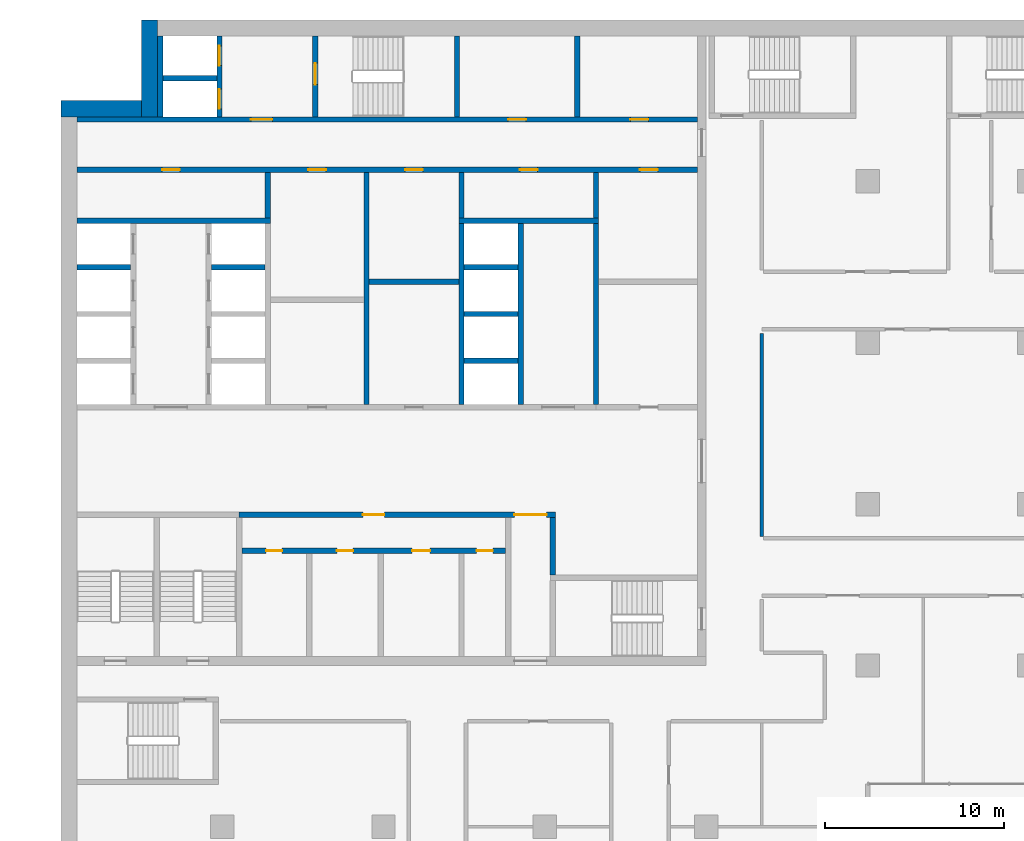
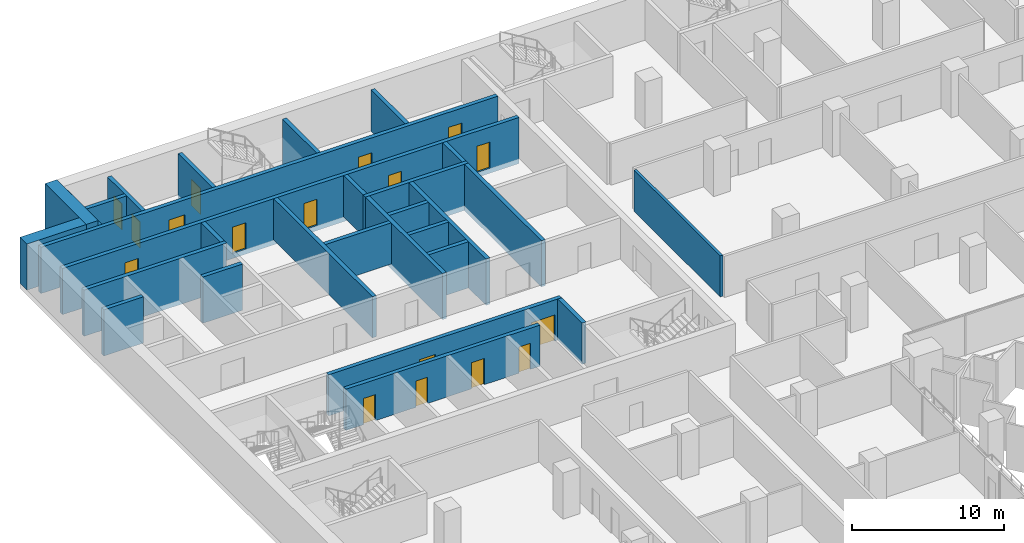
# One storey, part 13 of 22: 29 walls, 17 doors, 17 openings.
"""IFC4 building model written with IfcOpenShell, lengths in metres."""

from ifc_helpers import new_model, si_unit, direction, frame, frame_2d, origin, place, context, subcontext, project, spatial, rectangle, extrude, material, layer, layer_set, type_object, element, fill, save


model = new_model("IFC4")

# Units and contexts
model_context = context("Model", 3, precision=1e-05, world=origin(), true_north=direction((0.0, 1.0)))
body_context = subcontext(model_context, "Body", "Model", "MODEL_VIEW")
ifc_project = project(units=[si_unit("LENGTHUNIT", "METRE"), si_unit("AREAUNIT", "SQUARE_METRE"), si_unit("VOLUMEUNIT", "CUBIC_METRE"), si_unit("PLANEANGLEUNIT", "RADIAN"), si_unit("MASSUNIT", "GRAM", prefix="KILO")], contexts=[model_context])

# Site, building, storey
site_placement = place(None, origin())
site = spatial("IfcSite", under=ifc_project, at=site_placement, CompositionType="ELEMENT")
building_placement = place(site_placement, origin())
building = spatial("IfcBuilding", under=site, at=building_placement, Name="Hunhe Ridgeline Campus", CompositionType="ELEMENT")
storey_placement = place(building_placement, frame((0.0, 0.0, 88.5)))
storey = spatial("IfcBuildingStorey", under=building, at=storey_placement, Name="L21", CompositionType="ELEMENT", Elevation=88.5)

# Wall, openings, doors
ifc_material_1 = material(Name="Masonry concrete blockwork", Category="masonry")
ifc_layer_1 = layer(ifc_material_1, 0.300048828125)
ifc_layer_set_1 = layer_set([ifc_layer_1], Name="Core room partition 300 concrete block")
wall_type_1 = type_object("IfcWallType", Name="Core room partition 300 concrete block", PredefinedType="PARTITIONING", material=ifc_layer_set_1)
wall_1_placement = place(storey_placement, frame((10.10009765625, 69.39990234375, 0.0), z_axis=(0.0, 0.0, 1.0), x_axis=(1.0, 0.0, 0.0)))
wall_1 = element("IfcWall", 1, at=wall_1_placement, inside=storey, type_object=wall_type_1, Name="L21 core partition 9", PredefinedType="PARTITIONING", context=body_context, shape_type="SweptSolid", body=[
    extrude(rectangle(XDim=14.699951171875, YDim=0.300048828125, at=frame_2d((7.35009765625, 0.0))), origin(), (0.0, 0.0, 1.0), 3.300048828125),
])
opening_1_placement = place(wall_1_placement, frame((1.35009765625, 0.0, 0.0)))
opening_1 = element("IfcOpeningElement", 2, at=opening_1_placement, cuts=wall_1, Name="Opening CD8", PredefinedType="OPENING", context=body_context, shape_type="SweptSolid", body=[
    extrude(rectangle(XDim=0.89990234375, YDim=2.10009765625, at=frame_2d((0.449951171875, 1.050048828125))), frame((0.0, 0.14990234375, 0.0), z_axis=(0.0, -1.0, 0.0), x_axis=(1.0, 0.0, 0.0)), (0.0, 0.0, 1.0), 0.300048828125),
])
opening_2_placement = place(wall_1_placement, frame((5.300048828125, 0.0, 0.0)))
opening_2 = element("IfcOpeningElement", 3, at=opening_2_placement, cuts=wall_1, Name="Opening CD9", PredefinedType="OPENING", context=body_context, shape_type="SweptSolid", body=[
    extrude(rectangle(XDim=0.89990234375, YDim=2.10009765625, at=frame_2d((0.449951171875, 1.050048828125))), frame((0.0, 0.14990234375, 0.0), z_axis=(0.0, -1.0, 0.0), x_axis=(1.0, 0.0, 0.0)), (0.0, 0.0, 1.0), 0.300048828125),
])
opening_3_placement = place(wall_1_placement, frame((9.5, 0.0, 0.0)))
opening_3 = element("IfcOpeningElement", 4, at=opening_3_placement, cuts=wall_1, Name="Opening CD10", PredefinedType="OPENING", context=body_context, shape_type="SweptSolid", body=[
    extrude(rectangle(XDim=1.0, YDim=2.10009765625, at=frame_2d((0.5, 1.050048828125))), frame((0.0, 0.14990234375, 0.0), z_axis=(0.0, -1.0, 0.0), x_axis=(1.0, 0.0, 0.0)), (0.0, 0.0, 1.0), 0.300048828125),
])
opening_4_placement = place(wall_1_placement, frame((13.10009765625, 0.0, 0.0)))
opening_4 = element("IfcOpeningElement", 5, at=opening_4_placement, cuts=wall_1, Name="Opening CD11", PredefinedType="OPENING", context=body_context, shape_type="SweptSolid", body=[
    extrude(rectangle(XDim=0.89990234375, YDim=2.10009765625, at=frame_2d((0.449951171875, 1.050048828125))), frame((0.0, 0.14990234375, 0.0), z_axis=(0.0, -1.0, 0.0), x_axis=(1.0, 0.0, 0.0)), (0.0, 0.0, 1.0), 0.300048828125),
])
ifc_material_2 = material(Name="Solid core timber door leaf", Category="wood")
door_type_1 = type_object("IfcDoorType", Name="Timber door 1000x2100", OperationType="SINGLE_SWING_LEFT", PredefinedType="DOOR", material=ifc_material_2)
door_1_placement = place(opening_3_placement, frame((1.0, 0.0, 0.0), z_axis=(0.0, 0.0, 1.0), x_axis=(-1.0, 0.0, 0.0)))
door_1 = element("IfcDoor", 6, at=door_1_placement, inside=storey, type_object=door_type_1, Name="L21 door WC3", OperationType="SINGLE_SWING_RIGHT", OverallHeight=2.10009765625, OverallWidth=1.0, PredefinedType="DOOR", context=body_context, shape_type="SweptSolid", body=[
    extrude(rectangle(XDim=1.0, YDim=2.10009765625, at=frame_2d((0.5, 1.050048828125))), frame((0.0, 0.02490234375, 0.0), z_axis=(0.0, -1.0, 0.0), x_axis=(1.0, 0.0, 0.0)), (0.0, 0.0, 1.0), 0.050048828125),
])
fill(opening_3, door_1)
door_type_2 = type_object("IfcDoorType", Name="Timber door 900x2100", OperationType="SINGLE_SWING_LEFT", PredefinedType="DOOR", material=ifc_material_2)
door_2_placement = place(opening_1_placement, frame((0.89990234375, 0.0, 0.0), z_axis=(0.0, 0.0, 1.0), x_axis=(-1.0, 0.0, 0.0)))
door_2 = element("IfcDoor", 7, at=door_2_placement, inside=storey, type_object=door_type_2, Name="L21 door WC1", OperationType="SINGLE_SWING_RIGHT", OverallHeight=2.10009765625, OverallWidth=0.89990234375, PredefinedType="DOOR", context=body_context, shape_type="SweptSolid", body=[
    extrude(rectangle(XDim=0.89990234375, YDim=2.10009765625, at=frame_2d((0.449951171875, 1.050048828125))), frame((0.0, 0.02490234375, 0.0), z_axis=(0.0, -1.0, 0.0), x_axis=(1.0, 0.0, 0.0)), (0.0, 0.0, 1.0), 0.050048828125),
])
fill(opening_1, door_2)
door_3_placement = place(opening_2_placement, frame((0.89990234375, 0.0, 0.0), z_axis=(0.0, 0.0, 1.0), x_axis=(-1.0, 0.0, 0.0)))
door_3 = element("IfcDoor", 8, at=door_3_placement, inside=storey, type_object=door_type_2, Name="L21 door WC2", OperationType="SINGLE_SWING_LEFT", OverallHeight=2.10009765625, OverallWidth=0.89990234375, PredefinedType="DOOR", context=body_context, shape_type="SweptSolid", body=[
    extrude(rectangle(XDim=0.89990234375, YDim=2.10009765625, at=frame_2d((0.449951171875, 1.050048828125))), frame((0.0, 0.02490234375, 0.0), z_axis=(0.0, -1.0, 0.0), x_axis=(1.0, 0.0, 0.0)), (0.0, 0.0, 1.0), 0.050048828125),
])
fill(opening_2, door_3)
door_4_placement = place(opening_4_placement, frame((0.89990234375, 0.0, 0.0), z_axis=(0.0, 0.0, 1.0), x_axis=(-1.0, 0.0, 0.0)))
door_4 = element("IfcDoor", 9, at=door_4_placement, inside=storey, type_object=door_type_2, Name="L21 door WC4", OperationType="SINGLE_SWING_LEFT", OverallHeight=2.10009765625, OverallWidth=0.89990234375, PredefinedType="DOOR", context=body_context, shape_type="SweptSolid", body=[
    extrude(rectangle(XDim=0.89990234375, YDim=2.10009765625, at=frame_2d((0.449951171875, 1.050048828125))), frame((0.0, 0.02490234375, 0.0), z_axis=(0.0, -1.0, 0.0), x_axis=(1.0, 0.0, 0.0)), (0.0, 0.0, 1.0), 0.050048828125),
])
fill(opening_4, door_4)

wall_2_placement = place(storey_placement, frame((9.949951171875, 71.39990234375, 0.0), z_axis=(0.0, 0.0, 1.0), x_axis=(1.0, 0.0, 0.0)))
wall_2 = element("IfcWall", 10, at=wall_2_placement, inside=storey, type_object=wall_type_1, Name="L21 core partition 11", PredefinedType="PARTITIONING", context=body_context, shape_type="SweptSolid", body=[
    extrude(rectangle(XDim=17.650146484375, YDim=0.300048828125, at=frame_2d((8.8251953125, 0.0))), origin(), (0.0, 0.0, 1.0), 3.300048828125),
])
opening_5_placement = place(wall_2_placement, frame((15.35009765625, 0.0, 0.0)))
opening_5 = element("IfcOpeningElement", 11, at=opening_5_placement, cuts=wall_2, Name="Opening CD7", PredefinedType="OPENING", context=body_context, shape_type="SweptSolid", body=[
    extrude(rectangle(XDim=1.800048828125, YDim=2.10009765625, at=frame_2d((0.89990234375, 1.050048828125))), frame((0.0, 0.14990234375, 0.0), z_axis=(0.0, -1.0, 0.0), x_axis=(1.0, 0.0, 0.0)), (0.0, 0.0, 1.0), 0.300048828125),
])
opening_6_placement = place(wall_2_placement, frame((6.89990234375, 0.0, 0.0)))
opening_6 = element("IfcOpeningElement", 12, at=opening_6_placement, cuts=wall_2, Name="Opening CD37", PredefinedType="OPENING", context=body_context, shape_type="SweptSolid", body=[
    extrude(rectangle(XDim=1.199951171875, YDim=2.10009765625, at=frame_2d((0.60009765625, 1.050048828125))), frame((0.0, 0.14990234375, 0.0), z_axis=(0.0, -1.0, 0.0), x_axis=(1.0, 0.0, 0.0)), (0.0, 0.0, 1.0), 0.300048828125),
])
ifc_material_3 = material(Name="Anodised aluminium and glass", Category="aluminium")
door_type_3 = type_object("IfcDoorType", Name="Glazed double door 1800x2100", OperationType="DOUBLE_DOOR_SINGLE_SWING", PredefinedType="DOOR", material=ifc_material_3)
door_5_placement = place(opening_5_placement, origin())
door_5 = element("IfcDoor", 13, at=door_5_placement, inside=storey, type_object=door_type_3, Name="L21 door VEST-HALL", OperationType="DOUBLE_DOOR_SINGLE_SWING", OverallHeight=2.10009765625, OverallWidth=1.800048828125, PredefinedType="DOOR", context=body_context, shape_type="SweptSolid", body=[
    extrude(rectangle(XDim=1.800048828125, YDim=2.10009765625, at=frame_2d((0.89990234375, 1.050048828125))), frame((0.0, 0.02490234375, 0.0), z_axis=(0.0, -1.0, 0.0), x_axis=(1.0, 0.0, 0.0)), (0.0, 0.0, 1.0), 0.050048828125),
])
fill(opening_5, door_5)
door_type_4 = type_object("IfcDoorType", Name="Timber door 1200x2100", OperationType="SINGLE_SWING_LEFT", PredefinedType="DOOR", material=ifc_material_2)
door_6_placement = place(opening_6_placement, origin())
door_6 = element("IfcDoor", 14, at=door_6_placement, inside=storey, type_object=door_type_4, Name="L21 door WCL1-HALL", OperationType="SINGLE_SWING_LEFT", OverallHeight=2.10009765625, OverallWidth=1.199951171875, PredefinedType="DOOR", context=body_context, shape_type="SweptSolid", body=[
    extrude(rectangle(XDim=1.199951171875, YDim=2.10009765625, at=frame_2d((0.60009765625, 1.050048828125))), frame((0.0, 0.02490234375, 0.0), z_axis=(0.0, -1.0, 0.0), x_axis=(1.0, 0.0, 0.0)), (0.0, 0.0, 1.0), 0.050048828125),
])
fill(opening_6, door_6)

# Walls
wall_3_placement = place(storey_placement, frame((17.199951171875, 84.39990234375, 0.0), z_axis=(0.0, 0.0, 1.0), x_axis=(1.0, 0.0, 0.0)))
element("IfcWall", 15, at=wall_3_placement, inside=storey, type_object=wall_type_1, Name="L21 core partition 21", PredefinedType="PARTITIONING", context=body_context, shape_type="SweptSolid", body=[
    extrude(rectangle(XDim=5.0, YDim=0.300048828125, at=frame_2d((2.5, 0.0))), origin(), (0.0, 0.0, 1.0), 3.300048828125),
])
wall_4_placement = place(storey_placement, frame((11.550048828125, 87.949951171875, 0.0), z_axis=(0.0, 0.0, 1.0), x_axis=(0.0, 1.0, 0.0)))
element("IfcWall", 16, at=wall_4_placement, inside=storey, type_object=wall_type_1, Name="L21 core partition 43", PredefinedType="PARTITIONING", context=body_context, shape_type="SweptSolid", body=[
    extrude(rectangle(XDim=2.550048828125, YDim=0.300048828125, at=frame_2d((1.27490234375, 0.0))), origin(), (0.0, 0.0, 1.0), 3.300048828125),
])
wall_5_placement = place(storey_placement, frame((17.050048828125, 77.550048828125, 0.0), z_axis=(0.0, 0.0, 1.0), x_axis=(0.0, 1.0, 0.0)))
element("IfcWall", 17, at=wall_5_placement, inside=storey, type_object=wall_type_1, Name="L21 core partition 46", PredefinedType="PARTITIONING", context=body_context, shape_type="SweptSolid", body=[
    extrude(rectangle(XDim=12.949951171875, YDim=0.300048828125, at=frame_2d((6.47509765625, 0.0))), origin(), (0.0, 0.0, 1.0), 3.300048828125),
])
wall_6_placement = place(storey_placement, frame((22.35009765625, 87.949951171875, 0.0), z_axis=(0.0, 0.0, 1.0), x_axis=(0.0, 1.0, 0.0)))
element("IfcWall", 18, at=wall_6_placement, inside=storey, type_object=wall_type_1, Name="L21 core partition 52", PredefinedType="PARTITIONING", context=body_context, shape_type="SweptSolid", body=[
    extrude(rectangle(XDim=2.550048828125, YDim=0.300048828125, at=frame_2d((1.27490234375, 0.0))), origin(), (0.0, 0.0, 1.0), 3.300048828125),
])
wall_7_placement = place(storey_placement, frame((27.449951171875, 68.050048828125, 0.0), z_axis=(0.0, 0.0, 1.0), x_axis=(0.0, 1.0, 0.0)))
element("IfcWall", 19, at=wall_7_placement, inside=storey, type_object=wall_type_1, Name="L21 core partition 57", PredefinedType="PARTITIONING", context=body_context, shape_type="SweptSolid", body=[
    extrude(rectangle(XDim=3.199951171875, YDim=0.300048828125, at=frame_2d((1.60009765625, 0.0))), origin(), (0.0, 0.0, 1.0), 3.300048828125),
])
wall_8_placement = place(storey_placement, frame((28.800048828125, 93.60009765625, 0.0), z_axis=(0.0, 0.0, 1.0), x_axis=(0.0, 1.0, 0.0)))
element("IfcWall", 20, at=wall_8_placement, inside=storey, type_object=wall_type_1, Name="L21 core partition 58", PredefinedType="PARTITIONING", context=body_context, shape_type="SweptSolid", body=[
    extrude(rectangle(XDim=4.5, YDim=0.300048828125, at=frame_2d((2.25, 0.0))), origin(), (0.0, 0.0, 1.0), 3.300048828125),
])
wall_9_placement = place(storey_placement, frame((29.85009765625, 87.949951171875, 0.0), z_axis=(0.0, 0.0, 1.0), x_axis=(0.0, 1.0, 0.0)))
element("IfcWall", 21, at=wall_9_placement, inside=storey, type_object=wall_type_1, Name="L21 core partition 60", PredefinedType="PARTITIONING", context=body_context, shape_type="SweptSolid", body=[
    extrude(rectangle(XDim=2.550048828125, YDim=0.300048828125, at=frame_2d((1.27490234375, 0.0))), origin(), (0.0, 0.0, 1.0), 3.300048828125),
])
ifc_material_4 = material(Name="Gypsum board partition")
ifc_layer_2 = layer(ifc_material_4, 0.199951171875)
ifc_layer_set_2 = layer_set([ifc_layer_2], Name="Corridor partition 200 gypsum board on steel studs")
wall_type_2 = type_object("IfcWallType", Name="Corridor partition 200 gypsum board on steel studs", PredefinedType="PARTITIONING", material=ifc_layer_set_2)
wall_10_placement = place(storey_placement, frame((39.10009765625, 81.517578125, 0.0), z_axis=(0.0, 0.0, 1.0), x_axis=(0.0, -1.0, 0.0)))
element("IfcWall", 22, at=wall_10_placement, inside=storey, type_object=wall_type_2, Name="F-L21-wall-057", PredefinedType="PARTITIONING", context=body_context, shape_type="SweptSolid", body=[
    extrude(rectangle(XDim=11.317626953125, YDim=0.199951171875, at=frame_2d((5.65869140625, 0.0))), origin(), (0.0, 0.0, 1.0), 3.300048828125),
])

# Wall, openings, doors
ifc_material_5 = material(Name="Concrete C80", Category="concrete")
ifc_layer_3 = layer(ifc_material_5, 0.300048828125)
ifc_layer_set_3 = layer_set([ifc_layer_3], Name="Lobby wall 300 reinforced concrete C80")
wall_type_3 = type_object("IfcWallType", Name="Lobby wall 300 reinforced concrete C80", PredefinedType="SOLIDWALL", material=ifc_layer_set_3)
wall_11_placement = place(storey_placement, frame((0.89990234375, 90.64990234375, -0.39990234375), z_axis=(0.0, 0.0, 1.0), x_axis=(1.0, 0.0, 0.0)))
wall_11 = element("IfcWall", 23, at=wall_11_placement, inside=storey, type_object=wall_type_3, Name="L21 core wall 28", PredefinedType="SOLIDWALL", context=body_context, shape_type="SweptSolid", body=[
    extrude(rectangle(XDim=34.60009765625, YDim=0.300048828125, at=frame_2d((17.300048828125, 0.0))), origin(), (0.0, 0.0, 1.0), 3.699951171875),
])
opening_7_placement = place(wall_11_placement, frame((4.75, 0.0, 0.39990234375)))
opening_7 = element("IfcOpeningElement", 24, at=opening_7_placement, cuts=wall_11, Name="Opening CD26", PredefinedType="OPENING", context=body_context, shape_type="SweptSolid", body=[
    extrude(rectangle(XDim=1.0, YDim=2.10009765625, at=frame_2d((0.5, 1.050048828125))), frame((0.0, 0.14990234375, 0.0), z_axis=(0.0, -1.0, 0.0), x_axis=(1.0, 0.0, 0.0)), (0.0, 0.0, 1.0), 0.300048828125),
])
opening_8_placement = place(wall_11_placement, frame((24.699951171875, 0.0, 0.39990234375)))
opening_8 = element("IfcOpeningElement", 25, at=opening_8_placement, cuts=wall_11, Name="Opening CD27", PredefinedType="OPENING", context=body_context, shape_type="SweptSolid", body=[
    extrude(rectangle(XDim=1.0, YDim=2.10009765625, at=frame_2d((0.5, 1.050048828125))), frame((0.0, 0.14990234375, 0.0), z_axis=(0.0, -1.0, 0.0), x_axis=(1.0, 0.0, 0.0)), (0.0, 0.0, 1.0), 0.300048828125),
])
opening_9_placement = place(wall_11_placement, frame((12.89990234375, 0.0, 0.39990234375)))
opening_9 = element("IfcOpeningElement", 26, at=opening_9_placement, cuts=wall_11, Name="Opening CD29", PredefinedType="OPENING", context=body_context, shape_type="SweptSolid", body=[
    extrude(rectangle(XDim=1.0, YDim=2.10009765625, at=frame_2d((0.5, 1.050048828125))), frame((0.0, 0.14990234375, 0.0), z_axis=(0.0, -1.0, 0.0), x_axis=(1.0, 0.0, 0.0)), (0.0, 0.0, 1.0), 0.300048828125),
])
opening_10_placement = place(wall_11_placement, frame((18.300048828125, 0.0, 0.39990234375)))
opening_10 = element("IfcOpeningElement", 27, at=opening_10_placement, cuts=wall_11, Name="Opening CD31", PredefinedType="OPENING", context=body_context, shape_type="SweptSolid", body=[
    extrude(rectangle(XDim=1.0, YDim=2.10009765625, at=frame_2d((0.5, 1.050048828125))), frame((0.0, 0.14990234375, 0.0), z_axis=(0.0, -1.0, 0.0), x_axis=(1.0, 0.0, 0.0)), (0.0, 0.0, 1.0), 0.300048828125),
])
opening_11_placement = place(wall_11_placement, frame((31.39990234375, 0.0, 0.39990234375)))
opening_11 = element("IfcOpeningElement", 28, at=opening_11_placement, cuts=wall_11, Name="Opening CD33", PredefinedType="OPENING", context=body_context, shape_type="SweptSolid", body=[
    extrude(rectangle(XDim=1.0, YDim=2.10009765625, at=frame_2d((0.5, 1.050048828125))), frame((0.0, 0.14990234375, 0.0), z_axis=(0.0, -1.0, 0.0), x_axis=(1.0, 0.0, 0.0)), (0.0, 0.0, 1.0), 0.300048828125),
])
door_7_placement = place(opening_7_placement, frame((1.0, 0.0, 0.0), z_axis=(0.0, 0.0, 1.0), x_axis=(-1.0, 0.0, 0.0)))
door_7 = element("IfcDoor", 29, at=door_7_placement, inside=storey, type_object=door_type_1, Name="L21 door NR-0", OperationType="SINGLE_SWING_RIGHT", OverallHeight=2.10009765625, OverallWidth=1.0, PredefinedType="DOOR", context=body_context, shape_type="SweptSolid", body=[
    extrude(rectangle(XDim=1.0, YDim=2.10009765625, at=frame_2d((0.5, 1.050048828125))), frame((0.0, 0.02490234375, 0.0), z_axis=(0.0, -1.0, 0.0), x_axis=(1.0, 0.0, 0.0)), (0.0, 0.0, 1.0), 0.050048828125),
])
fill(opening_7, door_7)
door_8_placement = place(opening_8_placement, frame((1.0, 0.0, 0.0), z_axis=(0.0, 0.0, 1.0), x_axis=(-1.0, 0.0, 0.0)))
door_8 = element("IfcDoor", 30, at=door_8_placement, inside=storey, type_object=door_type_1, Name="L21 door NR-1", OperationType="SINGLE_SWING_LEFT", OverallHeight=2.10009765625, OverallWidth=1.0, PredefinedType="DOOR", context=body_context, shape_type="SweptSolid", body=[
    extrude(rectangle(XDim=1.0, YDim=2.10009765625, at=frame_2d((0.5, 1.050048828125))), frame((0.0, 0.02490234375, 0.0), z_axis=(0.0, -1.0, 0.0), x_axis=(1.0, 0.0, 0.0)), (0.0, 0.0, 1.0), 0.050048828125),
])
fill(opening_8, door_8)
door_9_placement = place(opening_9_placement, frame((1.0, 0.0, 0.0), z_axis=(0.0, 0.0, 1.0), x_axis=(-1.0, 0.0, 0.0)))
door_9 = element("IfcDoor", 31, at=door_9_placement, inside=storey, type_object=door_type_1, Name="L21 door VD-HR1", OperationType="SINGLE_SWING_LEFT", OverallHeight=2.10009765625, OverallWidth=1.0, PredefinedType="DOOR", context=body_context, shape_type="SweptSolid", body=[
    extrude(rectangle(XDim=1.0, YDim=2.10009765625, at=frame_2d((0.5, 1.050048828125))), frame((0.0, 0.02490234375, 0.0), z_axis=(0.0, -1.0, 0.0), x_axis=(1.0, 0.0, 0.0)), (0.0, 0.0, 1.0), 0.050048828125),
])
fill(opening_9, door_9)
door_10_placement = place(opening_10_placement, frame((1.0, 0.0, 0.0), z_axis=(0.0, 0.0, 1.0), x_axis=(-1.0, 0.0, 0.0)))
door_10 = element("IfcDoor", 32, at=door_10_placement, inside=storey, type_object=door_type_1, Name="L21 door VD-HR3", OperationType="SINGLE_SWING_LEFT", OverallHeight=2.10009765625, OverallWidth=1.0, PredefinedType="DOOR", context=body_context, shape_type="SweptSolid", body=[
    extrude(rectangle(XDim=1.0, YDim=2.10009765625, at=frame_2d((0.5, 1.050048828125))), frame((0.0, 0.02490234375, 0.0), z_axis=(0.0, -1.0, 0.0), x_axis=(1.0, 0.0, 0.0)), (0.0, 0.0, 1.0), 0.050048828125),
])
fill(opening_10, door_10)
door_11_placement = place(opening_11_placement, frame((1.0, 0.0, 0.0), z_axis=(0.0, 0.0, 1.0), x_axis=(-1.0, 0.0, 0.0)))
door_11 = element("IfcDoor", 33, at=door_11_placement, inside=storey, type_object=door_type_1, Name="L21 door ES1", OperationType="SINGLE_SWING_RIGHT", OverallHeight=2.10009765625, OverallWidth=1.0, PredefinedType="DOOR", context=body_context, shape_type="SweptSolid", body=[
    extrude(rectangle(XDim=1.0, YDim=2.10009765625, at=frame_2d((0.5, 1.050048828125))), frame((0.0, 0.02490234375, 0.0), z_axis=(0.0, -1.0, 0.0), x_axis=(1.0, 0.0, 0.0)), (0.0, 0.0, 1.0), 0.050048828125),
])
fill(opening_11, door_11)

# Walls
wall_12_placement = place(storey_placement, frame((29.85009765625, 77.550048828125, -0.39990234375), z_axis=(0.0, 0.0, 1.0), x_axis=(0.0, 1.0, 0.0)))
element("IfcWall", 34, at=wall_12_placement, inside=storey, type_object=wall_type_3, Name="L21 core wall 59", PredefinedType="SOLIDWALL", context=body_context, shape_type="SweptSolid", body=[
    extrude(rectangle(XDim=10.099853515625, YDim=0.300048828125, at=frame_2d((5.0498046875, 0.0))), origin(), (0.0, 0.0, 1.0), 3.699951171875),
])
ifc_layer_4 = layer(ifc_material_5, 0.300048828125)
ifc_layer_set_4 = layer_set([ifc_layer_4], Name="Shaft wall 300 reinforced concrete C80")
wall_type_4 = type_object("IfcWallType", Name="Shaft wall 300 reinforced concrete C80", PredefinedType="SOLIDWALL", material=ifc_layer_set_4)
for number, where, z_axis, x_axis, name in (
    (35, (22.5, 80.0, -0.39990234375), (0.0, 0.0, 1.0), (1.0, 0.0, 0.0), "L21 core wall 16"),
    (36, (22.5, 82.60009765625, -0.39990234375), (0.0, 0.0, 1.0), (1.0, 0.0, 0.0), "L21 core wall 19"),
    (37, (0.89990234375, 85.199951171875, -0.39990234375), (0.0, 0.0, 1.0), (1.0, 0.0, 0.0), "L21 core wall 23"),
    (38, (8.39990234375, 85.199951171875, -0.39990234375), (0.0, 0.0, 1.0), (1.0, 0.0, 0.0), "L21 core wall 24"),
    (39, (22.5, 85.199951171875, -0.39990234375), (0.0, 0.0, 1.0), (1.0, 0.0, 0.0), "L21 core wall 25"),
):
    element("IfcWall", number, at=place(storey_placement, frame(where, z_axis=z_axis, x_axis=x_axis)), inside=storey, type_object=wall_type_4, Name=name, PredefinedType="SOLIDWALL", context=body_context, shape_type="SweptSolid", body=[
        extrude(rectangle(XDim=3.0, YDim=0.300048828125, at=frame_2d((1.5, 0.0))), origin(), (0.0, 0.0, 1.0), 3.699951171875),
    ])
wall_13_placement = place(storey_placement, frame((0.89990234375, 87.800048828125, -0.39990234375), z_axis=(0.0, 0.0, 1.0), x_axis=(1.0, 0.0, 0.0)))
element("IfcWall", 40, at=wall_13_placement, inside=storey, type_object=wall_type_4, Name="L21 core wall 26", PredefinedType="SOLIDWALL", context=body_context, shape_type="SweptSolid", body=[
    extrude(rectangle(XDim=10.800048828125, YDim=0.300048828125, at=frame_2d((5.39990234375, 0.0))), origin(), (0.0, 0.0, 1.0), 3.699951171875),
])
wall_14_placement = place(storey_placement, frame((22.199951171875, 87.800048828125, -0.39990234375), z_axis=(0.0, 0.0, 1.0), x_axis=(1.0, 0.0, 0.0)))
element("IfcWall", 41, at=wall_14_placement, inside=storey, type_object=wall_type_4, Name="L21 core wall 27", PredefinedType="SOLIDWALL", context=body_context, shape_type="SweptSolid", body=[
    extrude(rectangle(XDim=7.800048828125, YDim=0.300048828125, at=frame_2d((3.89990234375, 0.0))), origin(), (0.0, 0.0, 1.0), 3.699951171875),
])

# Wall, openings, doors
wall_15_placement = place(storey_placement, frame((0.89990234375, 93.449951171875, -0.39990234375), z_axis=(0.0, 0.0, 1.0), x_axis=(1.0, 0.0, 0.0)))
wall_15 = element("IfcWall", 42, at=wall_15_placement, inside=storey, type_object=wall_type_4, Name="L21 core wall 29", PredefinedType="SOLIDWALL", context=body_context, shape_type="SweptSolid", body=[
    extrude(rectangle(XDim=34.60009765625, YDim=0.300048828125, at=frame_2d((17.300048828125, 0.0))), origin(), (0.0, 0.0, 1.0), 3.699951171875),
])
opening_12_placement = place(wall_15_placement, frame((9.699951171875, 0.0, 0.39990234375)))
opening_12 = element("IfcOpeningElement", 43, at=opening_12_placement, cuts=wall_15, Name="Opening CD3", PredefinedType="OPENING", context=body_context, shape_type="SweptSolid", body=[
    extrude(rectangle(XDim=1.199951171875, YDim=2.10009765625, at=frame_2d((0.60009765625, 1.050048828125))), frame((0.0, 0.14990234375, 0.0), z_axis=(0.0, -1.0, 0.0), x_axis=(1.0, 0.0, 0.0)), (0.0, 0.0, 1.0), 0.300048828125),
])
opening_13_placement = place(wall_15_placement, frame((24.050048828125, 0.0, 0.39990234375)))
opening_13 = element("IfcOpeningElement", 44, at=opening_13_placement, cuts=wall_15, Name="Opening CD34", PredefinedType="OPENING", context=body_context, shape_type="SweptSolid", body=[
    extrude(rectangle(XDim=1.0, YDim=2.10009765625, at=frame_2d((0.5, 1.050048828125))), frame((0.0, 0.14990234375, 0.0), z_axis=(0.0, -1.0, 0.0), x_axis=(1.0, 0.0, 0.0)), (0.0, 0.0, 1.0), 0.300048828125),
])
opening_14_placement = place(wall_15_placement, frame((30.875, 0.0, 0.39990234375)))
opening_14 = element("IfcOpeningElement", 45, at=opening_14_placement, cuts=wall_15, Name="Opening CD35", PredefinedType="OPENING", context=body_context, shape_type="SweptSolid", body=[
    extrude(rectangle(XDim=1.0, YDim=2.10009765625, at=frame_2d((0.5, 1.050048828125))), frame((0.0, 0.14990234375, 0.0), z_axis=(0.0, -1.0, 0.0), x_axis=(1.0, 0.0, 0.0)), (0.0, 0.0, 1.0), 0.300048828125),
])
ifc_material_6 = material(Name="Hollow metal fire door leaf")
door_type_5 = type_object("IfcDoorType", Name="Lobby door 1200x2100 FD60", OperationType="SINGLE_SWING_LEFT", PredefinedType="DOOR", material=ifc_material_6)
door_12_placement = place(opening_12_placement, frame((1.199951171875, 0.0, 0.0), z_axis=(0.0, 0.0, 1.0), x_axis=(-1.0, 0.0, 0.0)))
door_12 = element("IfcDoor", 46, at=door_12_placement, inside=storey, type_object=door_type_5, Name="L21 door FF-C1", OperationType="SINGLE_SWING_LEFT", OverallHeight=2.10009765625, OverallWidth=1.199951171875, PredefinedType="DOOR", context=body_context, shape_type="SweptSolid", body=[
    extrude(rectangle(XDim=1.199951171875, YDim=2.10009765625, at=frame_2d((0.60009765625, 1.050048828125))), frame((0.0, 0.02490234375, 0.0), z_axis=(0.0, -1.0, 0.0), x_axis=(1.0, 0.0, 0.0)), (0.0, 0.0, 1.0), 0.050048828125),
])
fill(opening_12, door_12)
door_13_placement = place(opening_13_placement, origin())
door_13 = element("IfcDoor", 47, at=door_13_placement, inside=storey, type_object=door_type_1, Name="L21 door NB0", OperationType="SINGLE_SWING_RIGHT", OverallHeight=2.10009765625, OverallWidth=1.0, PredefinedType="DOOR", context=body_context, shape_type="SweptSolid", body=[
    extrude(rectangle(XDim=1.0, YDim=2.10009765625, at=frame_2d((0.5, 1.050048828125))), frame((0.0, 0.02490234375, 0.0), z_axis=(0.0, -1.0, 0.0), x_axis=(1.0, 0.0, 0.0)), (0.0, 0.0, 1.0), 0.050048828125),
])
fill(opening_13, door_13)
door_14_placement = place(opening_14_placement, origin())
door_14 = element("IfcDoor", 48, at=door_14_placement, inside=storey, type_object=door_type_1, Name="L21 door NB1", OperationType="SINGLE_SWING_LEFT", OverallHeight=2.10009765625, OverallWidth=1.0, PredefinedType="DOOR", context=body_context, shape_type="SweptSolid", body=[
    extrude(rectangle(XDim=1.0, YDim=2.10009765625, at=frame_2d((0.5, 1.050048828125))), frame((0.0, 0.02490234375, 0.0), z_axis=(0.0, -1.0, 0.0), x_axis=(1.0, 0.0, 0.0)), (0.0, 0.0, 1.0), 0.050048828125),
])
fill(opening_14, door_14)

# Walls
wall_16_placement = place(storey_placement, frame((5.699951171875, 95.75, -0.39990234375), z_axis=(0.0, 0.0, 1.0), x_axis=(1.0, 0.0, 0.0)))
element("IfcWall", 49, at=wall_16_placement, inside=storey, type_object=wall_type_4, Name="L21 core wall 33", PredefinedType="SOLIDWALL", context=body_context, shape_type="SweptSolid", body=[
    extrude(rectangle(XDim=3.0, YDim=0.300048828125, at=frame_2d((1.5, 0.0))), origin(), (0.0, 0.0, 1.0), 3.699951171875),
])
wall_17_placement = place(storey_placement, frame((5.550048828125, 93.60009765625, -0.39990234375), z_axis=(0.0, 0.0, 1.0), x_axis=(0.0, 1.0, 0.0)))
element("IfcWall", 50, at=wall_17_placement, inside=storey, type_object=wall_type_4, Name="L21 core wall 36", PredefinedType="SOLIDWALL", context=body_context, shape_type="SweptSolid", body=[
    extrude(rectangle(XDim=4.5, YDim=0.300048828125, at=frame_2d((2.25, 0.0))), origin(), (0.0, 0.0, 1.0), 3.699951171875),
])

# Wall, openings, doors
wall_18_placement = place(storey_placement, frame((8.85009765625, 93.60009765625, -0.39990234375), z_axis=(0.0, 0.0, 1.0), x_axis=(0.0, 1.0, 0.0)))
wall_18 = element("IfcWall", 51, at=wall_18_placement, inside=storey, type_object=wall_type_4, Name="L21 core wall 40", PredefinedType="SOLIDWALL", context=body_context, shape_type="SweptSolid", body=[
    extrude(rectangle(XDim=4.5, YDim=0.300048828125, at=frame_2d((2.25, 0.0))), origin(), (0.0, 0.0, 1.0), 3.699951171875),
])
opening_15_placement = place(wall_18_placement, frame((0.449951171875, 0.0, 0.39990234375)))
opening_15 = element("IfcOpeningElement", 52, at=opening_15_placement, cuts=wall_18, Name="Opening LD-FF1", PredefinedType="OPENING", context=body_context, shape_type="SweptSolid", body=[
    extrude(rectangle(XDim=1.10009765625, YDim=2.10009765625, at=frame_2d((0.550048828125, 1.050048828125))), frame((0.0, 0.14990234375, 0.0), z_axis=(0.0, -1.0, 0.0), x_axis=(1.0, 0.0, 0.0)), (0.0, 0.0, 1.0), 0.300048828125),
])
opening_16_placement = place(wall_18_placement, frame((2.85009765625, 0.0, 0.39990234375)))
opening_16 = element("IfcOpeningElement", 53, at=opening_16_placement, cuts=wall_18, Name="Opening LD-FF2", PredefinedType="OPENING", context=body_context, shape_type="SweptSolid", body=[
    extrude(rectangle(XDim=1.10009765625, YDim=2.10009765625, at=frame_2d((0.550048828125, 1.050048828125))), frame((0.0, 0.14990234375, 0.0), z_axis=(0.0, -1.0, 0.0), x_axis=(1.0, 0.0, 0.0)), (0.0, 0.0, 1.0), 0.300048828125),
])
ifc_material_7 = material(Name="Stainless steel sliding leaves", Category="steel")
door_type_6 = type_object("IfcDoorType", Name="Landing door 1100x2100 FD120", OperationType="SLIDING_TO_LEFT", PredefinedType="DOOR", material=ifc_material_7)
door_15_placement = place(opening_15_placement, origin())
door_15 = element("IfcDoor", 54, at=door_15_placement, inside=storey, type_object=door_type_6, Name="L21 landing door FF1", OperationType="SLIDING_TO_RIGHT", OverallHeight=2.10009765625, OverallWidth=1.10009765625, PredefinedType="DOOR", context=body_context, shape_type="SweptSolid", body=[
    extrude(rectangle(XDim=1.10009765625, YDim=2.10009765625, at=frame_2d((0.550048828125, 1.050048828125))), frame((0.0, 0.02490234375, 0.0), z_axis=(0.0, -1.0, 0.0), x_axis=(1.0, 0.0, 0.0)), (0.0, 0.0, 1.0), 0.050048828125),
])
fill(opening_15, door_15)
door_16_placement = place(opening_16_placement, origin())
door_16 = element("IfcDoor", 55, at=door_16_placement, inside=storey, type_object=door_type_6, Name="L21 landing door FF2", OperationType="SLIDING_TO_LEFT", OverallHeight=2.10009765625, OverallWidth=1.10009765625, PredefinedType="DOOR", context=body_context, shape_type="SweptSolid", body=[
    extrude(rectangle(XDim=1.10009765625, YDim=2.10009765625, at=frame_2d((0.550048828125, 1.050048828125))), frame((0.0, 0.02490234375, 0.0), z_axis=(0.0, -1.0, 0.0), x_axis=(1.0, 0.0, 0.0)), (0.0, 0.0, 1.0), 0.050048828125),
])
fill(opening_16, door_16)

# Walls
for number, where, z_axis, x_axis, name in (
    (56, (22.35009765625, 77.550048828125, -0.39990234375), (0.0, 0.0, 1.0), (0.0, 1.0, 0.0), "L21 core wall 51"),
    (57, (25.64990234375, 77.550048828125, -0.39990234375), (0.0, 0.0, 1.0), (0.0, 1.0, 0.0), "L21 core wall 55"),
):
    element("IfcWall", number, at=place(storey_placement, frame(where, z_axis=z_axis, x_axis=x_axis)), inside=storey, type_object=wall_type_4, Name=name, PredefinedType="SOLIDWALL", context=body_context, shape_type="SweptSolid", body=[
        extrude(rectangle(XDim=10.099853515625, YDim=0.300048828125, at=frame_2d((5.0498046875, 0.0))), origin(), (0.0, 0.0, 1.0), 3.699951171875),
    ])
ifc_material_8 = material(Name="Concrete C70", Category="concrete")
ifc_layer_5 = layer(ifc_material_8, 0.89990234375)
ifc_layer_set_5 = layer_set([ifc_layer_5], Name="Spine wall 900 Concrete C70")
wall_type_5 = type_object("IfcWallType", Name="Spine wall 900 Concrete C70", PredefinedType="SHEAR", material=ifc_layer_set_5)
for number, where, z_axis, x_axis, name in (
    (58, (4.949951171875, 99.0, 0.0), (0.0, 0.0, 1.0), (0.0, -1.0, 0.0), "Spine wall SW2-5 L21"),
    (59, (5.400146484375, 94.050048828125, 0.0), (0.0, 0.0, 1.0), (-1.0, 0.0, 0.0), "Spine wall SW2-6 L21"),
):
    element("IfcWall", number, at=place(storey_placement, frame(where, z_axis=z_axis, x_axis=x_axis)), inside=storey, type_object=wall_type_5, Name=name, PredefinedType="SHEAR", context=body_context, shape_type="SweptSolid", body=[
        extrude(rectangle(XDim=5.400146484375, YDim=0.89990234375, at=frame_2d((2.7001953125, 0.0))), origin(), (0.0, 0.0, 1.0), 3.699951171875),
    ])

# Wall, opening, door
ifc_layer_6 = layer(ifc_material_5, 0.300048828125)
ifc_layer_set_6 = layer_set([ifc_layer_6], Name="Stair wall 300 reinforced concrete C80")
wall_type_6 = type_object("IfcWallType", Name="Stair wall 300 reinforced concrete C80", PredefinedType="SOLIDWALL", material=ifc_layer_set_6)
wall_19_placement = place(storey_placement, frame((14.199951171875, 93.60009765625, -0.39990234375), z_axis=(0.0, 0.0, 1.0), x_axis=(0.0, 1.0, 0.0)))
wall_19 = element("IfcWall", 60, at=wall_19_placement, inside=storey, type_object=wall_type_6, Name="L21 core wall 45", PredefinedType="SOLIDWALL", context=body_context, shape_type="SweptSolid", body=[
    extrude(rectangle(XDim=4.5, YDim=0.300048828125, at=frame_2d((2.25, 0.0))), origin(), (0.0, 0.0, 1.0), 3.699951171875),
])
opening_17_placement = place(wall_19_placement, frame((1.800048828125, 0.0, 0.39990234375)))
opening_17 = element("IfcOpeningElement", 61, at=opening_17_placement, cuts=wall_19, Name="Opening CD16", PredefinedType="OPENING", context=body_context, shape_type="SweptSolid", body=[
    extrude(rectangle(XDim=1.199951171875, YDim=2.10009765625, at=frame_2d((0.60009765625, 1.050048828125))), frame((0.0, 0.14990234375, 0.0), z_axis=(0.0, -1.0, 0.0), x_axis=(1.0, 0.0, 0.0)), (0.0, 0.0, 1.0), 0.300048828125),
])
door_type_7 = type_object("IfcDoorType", Name="Stair door 1200x2100 FD60", OperationType="SINGLE_SWING_LEFT", PredefinedType="DOOR", material=ifc_material_6)
door_17_placement = place(opening_17_placement, origin())
door_17 = element("IfcDoor", 62, at=door_17_placement, inside=storey, type_object=door_type_7, Name="L21 door S1-FF", OperationType="SINGLE_SWING_LEFT", OverallHeight=2.10009765625, OverallWidth=1.199951171875, PredefinedType="DOOR", context=body_context, shape_type="SweptSolid", body=[
    extrude(rectangle(XDim=1.199951171875, YDim=2.10009765625, at=frame_2d((0.60009765625, 1.050048828125))), frame((0.0, 0.02490234375, 0.0), z_axis=(0.0, -1.0, 0.0), x_axis=(1.0, 0.0, 0.0)), (0.0, 0.0, 1.0), 0.050048828125),
])
fill(opening_17, door_17)

# Wall
wall_20_placement = place(storey_placement, frame((22.10009765625, 93.60009765625, -0.39990234375), z_axis=(0.0, 0.0, 1.0), x_axis=(0.0, 1.0, 0.0)))
element("IfcWall", 63, at=wall_20_placement, inside=storey, type_object=wall_type_6, Name="L21 core wall 49", PredefinedType="SOLIDWALL", context=body_context, shape_type="SweptSolid", body=[
    extrude(rectangle(XDim=4.5, YDim=0.300048828125, at=frame_2d((2.25, 0.0))), origin(), (0.0, 0.0, 1.0), 3.699951171875),
])

save(model, "model.ifc")
